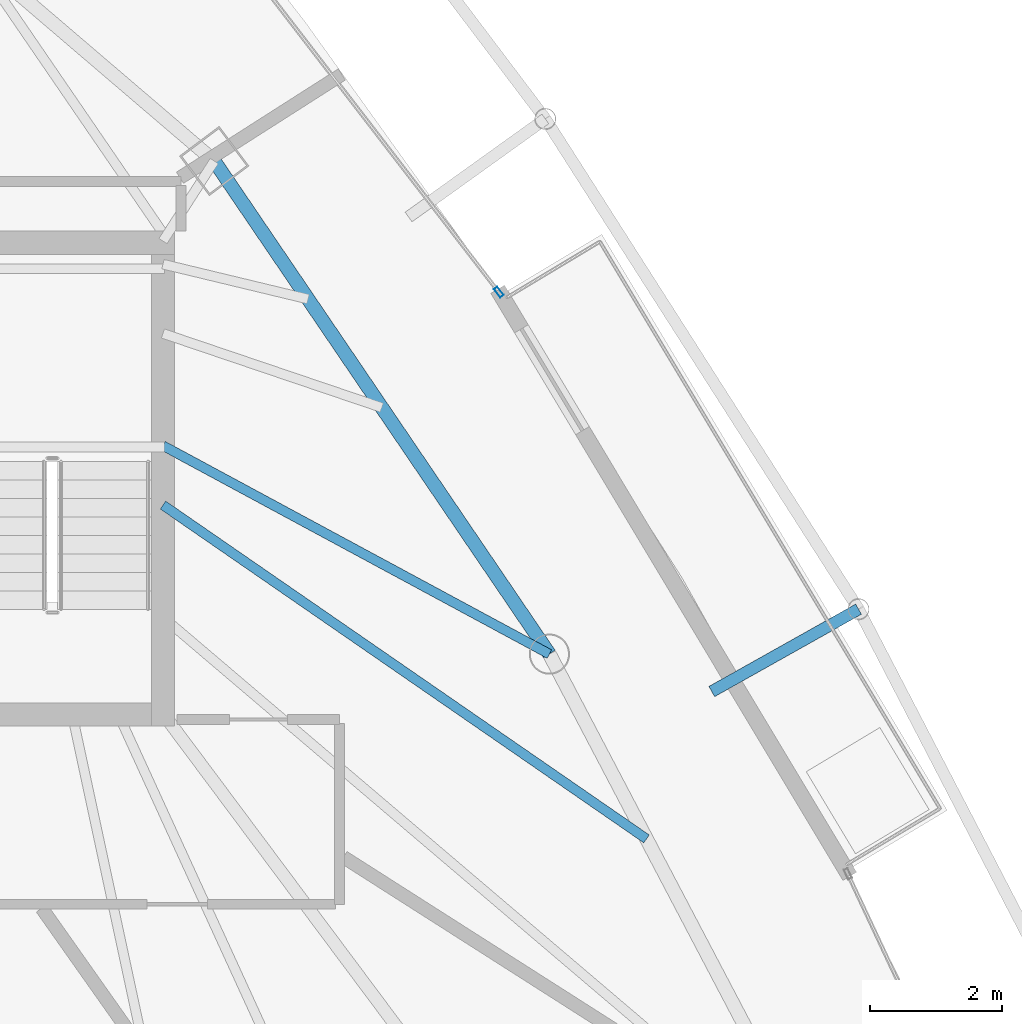
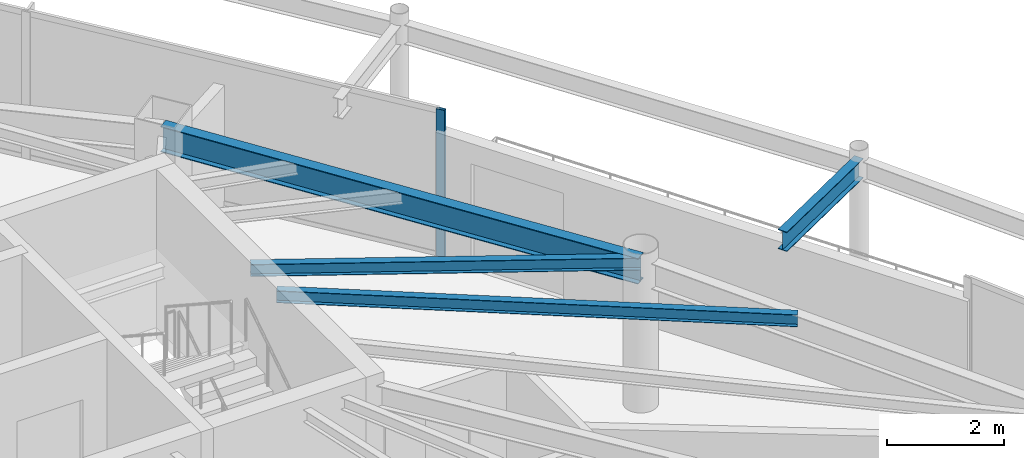
# One storey, part 21 of 33: 4 beams, 1 member, 1 element without a shape of its own.
"""IFC4 building model written with IfcOpenShell, lengths in metres."""

from ifc_helpers import new_model, si_unit, direction, frame, origin, origin_2d, place, context, subcontext, project, spatial, hollow_rectangle, i_section, extrude, material, layer, layer_set, material_profile, profile_set, type_object, element, aggregate, save


model = new_model("IFC4")

# Units and contexts
model_context = context("Model", 3, precision=1e-05, world=origin(), true_north=direction((0.0, 1.0)))
body_context = subcontext(model_context, "Body", "Model", "MODEL_VIEW")
ifc_project = project(units=[si_unit("LENGTHUNIT", "METRE"), si_unit("AREAUNIT", "SQUARE_METRE"), si_unit("VOLUMEUNIT", "CUBIC_METRE"), si_unit("PLANEANGLEUNIT", "RADIAN"), si_unit("MASSUNIT", "GRAM", prefix="KILO")], contexts=[model_context])

# Site, building, storey
site_placement = place(None, origin())
site = spatial("IfcSite", under=ifc_project, at=site_placement, CompositionType="ELEMENT")
building_placement = place(site_placement, origin())
building = spatial("IfcBuilding", under=site, at=building_placement, Name="Orvanel Arch Residences", CompositionType="ELEMENT")
storey_placement = place(building_placement, frame((0.0, 0.0, 206.300048828125)))
storey = spatial("IfcBuildingStorey", under=building, at=storey_placement, Name="L58", CompositionType="ELEMENT", Elevation=206.300048828125)

# Beams
ifc_material_1 = material(Name="Structural steel AS/NZS 3679.1 Grade 300 (300 MPa)", Category="steel")
ifc_material_profile_1 = material_profile(ifc_material_1, i_section(OverallWidth=0.14599609375, OverallDepth=0.251953125, WebThickness=0.006103515625, FlangeThickness=0.008544921875, at=origin_2d()), Name="250UB31.4")
ifc_profile_set_1 = profile_set([ifc_material_profile_1], Name="Structural steel AS/NZS 3679.1 Grade 300 (300 MPa)")
beam_type_1 = type_object("IfcBeamType", Name="BJ-250UB", PredefinedType="JOIST", material=ifc_profile_set_1)
beam_1_placement = place(storey_placement, frame((39.574951171875, 30.800048828125, 2.933837890625), z_axis=(0.880111494021, -0.474767056664, 0.0), x_axis=(0.474767056664, 0.880111494021, 0.0)))
element("IfcBeam", 1, at=beam_1_placement, inside=storey, type_object=beam_type_1, Name="L58 NE Wing Floor Joist", PredefinedType="JOIST", context=body_context, shape_type="SweptSolid", body=[
    extrude(i_section(OverallWidth=0.14599609375, OverallDepth=0.251953125, WebThickness=0.006103515625, FlangeThickness=0.008544921875, at=origin_2d()), origin(), (0.0, 0.0, 1.0), 6.653564453125),
])
beam_2_placement = place(storey_placement, frame((39.574951171875, 29.89990234375, 2.933837890625), z_axis=(0.822917046387, -0.568161539323, 0.0), x_axis=(0.568161539323, 0.822917046387, 0.0)))
element("IfcBeam", 2, at=beam_2_placement, inside=storey, type_object=beam_type_1, Name="L58 CTE Wing Floor Joist", PredefinedType="JOIST", context=body_context, shape_type="SweptSolid", body=[
    extrude(i_section(OverallWidth=0.14599609375, OverallDepth=0.251953125, WebThickness=0.006103515625, FlangeThickness=0.008544921875, at=origin_2d()), origin(), (0.0, 0.0, 1.0), 8.90380859375),
])

# Curtain wall, member
ifc_material_2 = material(Name="Bronze-anodised aluminium AA6063-T6", Category="aluminium")
ifc_layer = layer(ifc_material_2, 0.175048828125)
ifc_layer_set = layer_set([ifc_layer], Name="Bronze-anodised aluminium AA6063-T6")
curtain_wall_type = type_object("IfcCurtainWallType", Name="CW4-HI-SYS", PredefinedType="NOTDEFINED", material=ifc_layer_set)
curtain_wall_placement = place(storey_placement, origin())
curtain_wall = element("IfcCurtainWall", 3, at=curtain_wall_placement, inside=storey, type_object=curtain_wall_type, Name="L58 CW4-HI-SYS Unitised Curtain Wall", PredefinedType="NOTDEFINED")
ifc_material_profile_2 = material_profile(ifc_material_2, hollow_rectangle(XDim=0.06494140625, YDim=0.159912109375, WallThickness=0.00390625, at=origin_2d()), Name="ALU160x65x4")
ifc_profile_set_2 = profile_set([ifc_material_profile_2], Name="Bronze-anodised aluminium AA6063-T6")
member_type = type_object("IfcMemberType", Name="MUL-160x65", PredefinedType="MULLION", material=ifc_profile_set_2)
member_placement = place(storey_placement, frame((44.665283203125, 33.126708984375, 0.0), z_axis=(0.0, 0.0, 1.0), x_axis=(-0.792150817266, -0.61032539084, 0.0)))
member = element("IfcMember", 4, at=member_placement, type_object=member_type, Name="CW-S4 mullion 1", PredefinedType="MULLION", context=body_context, shape_type="SweptSolid", body=[
    extrude(hollow_rectangle(XDim=0.06494140625, YDim=0.159912109375, WallThickness=0.00390625, at=origin_2d()), origin(), (0.0, 0.0, 1.0), 3.06005859375),
])
aggregate(curtain_wall, [member])

# Beams
ifc_material_profile_3 = material_profile(ifc_material_1, i_section(OverallWidth=0.177978515625, OverallDepth=0.406005859375, WebThickness=0.0078125, FlangeThickness=0.0126953125, at=origin_2d()), Name="410UB59.7")
ifc_profile_set_3 = profile_set([ifc_material_profile_3], Name="Structural steel AS/NZS 3679.1 Grade 300 (300 MPa)")
beam_type_2 = type_object("IfcBeamType", Name="OB-410UB-EXT", PredefinedType="SPANDREL", material=ifc_profile_set_3)
beam_3_placement = place(storey_placement, frame((47.89111328125, 27.073974609375, 2.85693359375), z_axis=(0.872058338595, 0.489401935108, 0.0), x_axis=(-0.489401935108, 0.872058338595, 0.0)))
element("IfcBeam", 5, at=beam_3_placement, inside=storey, type_object=beam_type_2, Name="L58 Outer Frame Radial Tie Beam 10", PredefinedType="SPANDREL", context=body_context, shape_type="SweptSolid", body=[
    extrude(i_section(OverallWidth=0.177978515625, OverallDepth=0.406005859375, WebThickness=0.0078125, FlangeThickness=0.0126953125, at=origin_2d()), origin(), (0.0, 0.0, 1.0), 2.550048828125),
])
ifc_material_profile_4 = material_profile(ifc_material_1, i_section(OverallWidth=0.208984375, OverallDepth=0.532958984375, WebThickness=0.01025390625, FlangeThickness=0.015625, at=origin_2d()), Name="530UB92.4")
ifc_profile_set_4 = profile_set([ifc_material_profile_4], Name="Structural steel AS/NZS 3679.1 Grade 300 (300 MPa)")
beam_type_3 = type_object("IfcBeamType", Name="SP-530UB", PredefinedType="SPANDREL", material=ifc_profile_set_4)
beam_4_placement = place(storey_placement, frame((45.430908203125, 27.64111328125, 2.7939453125), z_axis=(-0.562154793153, 0.827032035978, 0.0), x_axis=(-0.827032035978, -0.562154793153, 0.0)))
element("IfcBeam", 6, at=beam_4_placement, inside=storey, type_object=beam_type_3, Name="L58 Perimeter Spandrel Beam 08", PredefinedType="SPANDREL", context=body_context, shape_type="SweptSolid", body=[
    extrude(i_section(OverallWidth=0.208984375, OverallDepth=0.532958984375, WebThickness=0.01025390625, FlangeThickness=0.015625, at=origin_2d()), origin(), (0.0, 0.0, 1.0), 9.03466796875),
])

save(model, "model.ifc")
